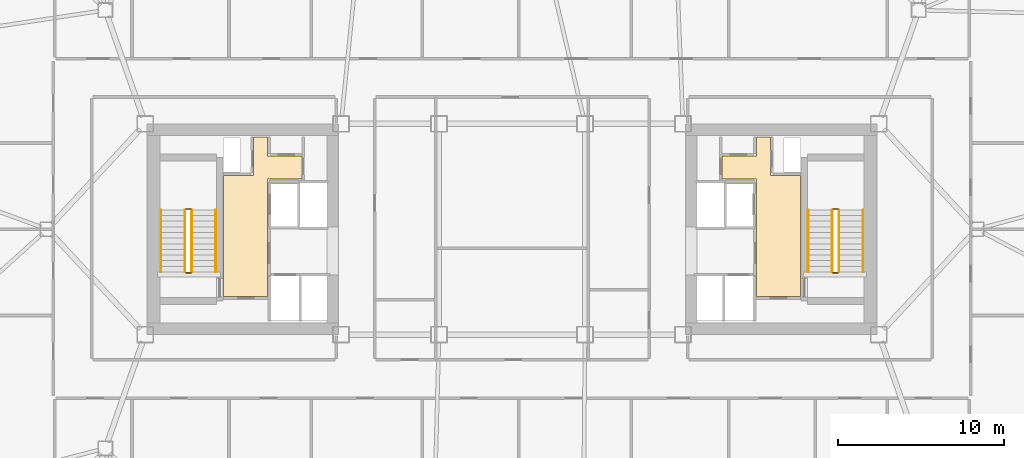
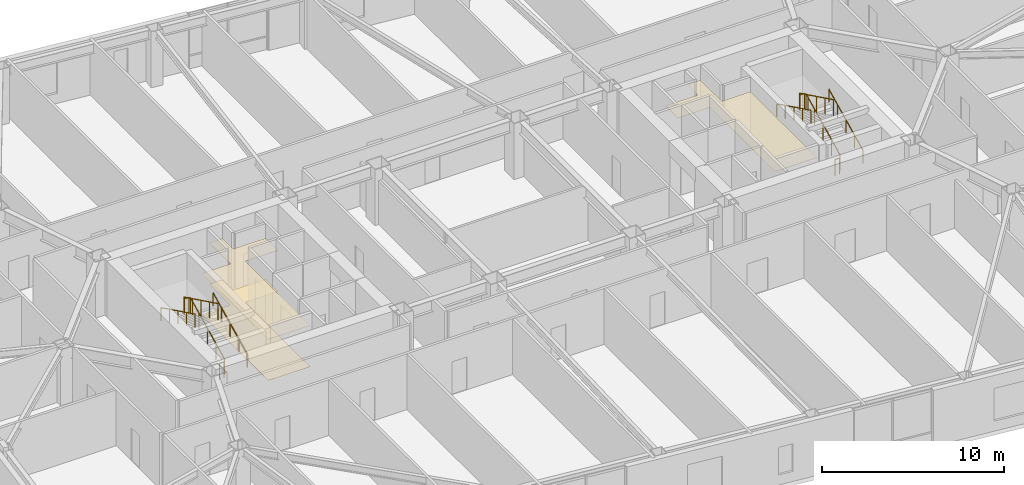
# One storey, part 21 of 21: 12 railings, 3 coverings.
"""IFC4 building model written with IfcOpenShell, lengths in metres."""

from ifc_helpers import new_model, si_unit, direction, frame, origin, origin_2d, place, context, subcontext, project, spatial, polyline, rectangle, outline, extrude, material, layer, layer_set, type_object, element, save


model = new_model("IFC4")

# Units and contexts
model_context = context("Model", 3, precision=1e-05, world=origin(), true_north=direction((0.0, 1.0)))
body_context = subcontext(model_context, "Body", "Model", "MODEL_VIEW")
ifc_project = project(units=[si_unit("LENGTHUNIT", "METRE"), si_unit("AREAUNIT", "SQUARE_METRE"), si_unit("VOLUMEUNIT", "CUBIC_METRE"), si_unit("PLANEANGLEUNIT", "RADIAN"), si_unit("MASSUNIT", "GRAM", prefix="KILO")], contexts=[model_context])

# Site, building, storey
site_placement = place(None, origin())
site = spatial("IfcSite", under=ifc_project, at=site_placement, CompositionType="ELEMENT")
building_placement = place(site_placement, origin())
building = spatial("IfcBuilding", under=site, at=building_placement, Name="Tavrogorsk Clinical Tower", CompositionType="ELEMENT")
storey_placement = place(building_placement, frame((0.0, 0.0, 137.39990234375)))
storey = spatial("IfcBuildingStorey", under=building, at=storey_placement, Name="L31", CompositionType="ELEMENT", Elevation=137.39990234375)

# Coverings
ifc_material_1 = material(Name="Antibacterial micro-perforated aluminium ceiling", Category="aluminium")
ifc_layer_1 = layer(ifc_material_1, 0.014892578125)
ifc_layer_set_1 = layer_set([ifc_layer_1], Name="Antibacterial micro-perforated aluminium ceiling")
covering_type_1 = type_object("IfcCoveringType", Name="ClinicalCeiling_15", PredefinedType="CEILING", material=ifc_layer_set_1)
covering_1_placement = place(storey_placement, frame((0.0, 0.0, 2.75)))
element("IfcCovering", 1, at=covering_1_placement, inside=storey, type_object=covering_type_1, Name="Core West Firefighting Lift Lobby Acoustic Ceiling", PredefinedType="CEILING", context=body_context, shape_type="SweptSolid", body=[
    extrude(outline(polyline([(-17.3798828125, -4.06005859375), (-17.3798828125, 3.239990234375), (-15.56005859375, 3.239990234375), (-15.56005859375, 5.56005859375), (-14.719970703125, 5.56005859375), (-14.719970703125, 4.39990234375), (-12.659912109375, 4.39990234375), (-12.659912109375, 3.0400390625), (-14.719970703125, 3.0400390625), (-14.719970703125, -4.06005859375), (-17.3798828125, -4.06005859375)])), origin(), (0.0, 0.0, 1.0), 0.01513671875),
])
covering_2_placement = place(storey_placement, frame((0.0, 0.0, 2.75)))
element("IfcCovering", 2, at=covering_2_placement, inside=storey, type_object=covering_type_1, Name="Core East Firefighting Lift Lobby Acoustic Ceiling", PredefinedType="CEILING", context=body_context, shape_type="SweptSolid", body=[
    extrude(outline(polyline([(14.719970703125, 3.0400390625), (12.659912109375, 3.0400390625), (12.659912109375, 4.39990234375), (14.719970703125, 4.39990234375), (14.719970703125, 5.56005859375), (15.56005859375, 5.56005859375), (15.56005859375, 3.239990234375), (17.3798828125, 3.239990234375), (17.3798828125, -4.06005859375), (14.719970703125, -4.06005859375), (14.719970703125, 3.0400390625)])), origin(), (0.0, 0.0, 1.0), 0.01513671875),
])
ifc_material_2 = material(Name="Homogeneous medical conductive PVC flooring")
ifc_layer_2 = layer(ifc_material_2, 0.008056640625)
ifc_layer_set_2 = layer_set([ifc_layer_2], Name="Homogeneous medical conductive PVC flooring")
covering_type_2 = type_object("IfcCoveringType", Name="ResilientVinylFloor_8", PredefinedType="FLOORING", material=ifc_layer_set_2)
covering_3_placement = place(storey_placement, origin())
element("IfcCovering", 3, at=covering_3_placement, inside=storey, type_object=covering_type_2, Name="Core West Firefighting Lift Lobby Conductive Vinyl Flooring", PredefinedType="FLOORING", context=body_context, shape_type="SweptSolid", body=[
    extrude(outline(polyline([(-17.3798828125, -4.06005859375), (-17.3798828125, 3.239990234375), (-15.56005859375, 3.239990234375), (-15.56005859375, 5.56005859375), (-14.719970703125, 5.56005859375), (-14.719970703125, 4.39990234375), (-12.659912109375, 4.39990234375), (-12.659912109375, 3.0400390625), (-14.719970703125, 3.0400390625), (-14.719970703125, -4.06005859375), (-17.3798828125, -4.06005859375)])), origin(), (0.0, 0.0, 1.0), 0.008056640625),
])

# Railings
ifc_material_3 = material(Name="Galvanised steel S355 safety stairwell guard", Category="steel")
ifc_layer_3 = layer(ifc_material_3, 0.06005859375)
ifc_layer_set_3 = layer_set([ifc_layer_3], Name="Galvanised steel S355 safety stairwell guard")
railing_type_1 = type_object("IfcRailingType", Name="StairGuard_1150", PredefinedType="GUARDRAIL", material=ifc_layer_set_3)
railing_1_placement = place(storey_placement, frame((-19.300048828125, -2.574951171875, 0.166748046875)))
element("IfcRailing", 4, at=railing_1_placement, inside=storey, type_object=railing_type_1, Name="L31 ST-W stair guard 1", PredefinedType="GUARDRAIL", context=body_context, shape_type="SweptSolid", body=[
    extrude(rectangle(XDim=0.048095703125, YDim=0.048095703125, at=origin_2d()), frame((0.0, 0.0, 1.076171875), z_axis=(0.0, 0.897927990467, 0.440142390523), x_axis=(-1.0, 0.0, 0.0)), (0.0, 0.0, 1.0), 4.1650390625),
    extrude(rectangle(XDim=0.0419921875, YDim=0.0419921875, at=origin_2d()), origin(), (0.0, 0.0, 1.0), 1.052001953125),
    extrude(rectangle(XDim=0.0419921875, YDim=0.0419921875, at=origin_2d()), frame((0.0, 0.93505859375, 0.458251953125)), (0.0, 0.0, 1.0), 1.052001953125),
    extrude(rectangle(XDim=0.0419921875, YDim=0.0419921875, at=origin_2d()), frame((0.0, 1.8701171875, 0.91650390625)), (0.0, 0.0, 1.0), 1.052001953125),
    extrude(rectangle(XDim=0.0419921875, YDim=0.0419921875, at=origin_2d()), frame((0.0, 2.804931640625, 1.375)), (0.0, 0.0, 1.0), 1.052001953125),
    extrude(rectangle(XDim=0.0419921875, YDim=0.0419921875, at=origin_2d()), frame((0.0, 3.739990234375, 1.833251953125)), (0.0, 0.0, 1.0), 1.052001953125),
])
railing_2_placement = place(storey_placement, frame((-19.35009765625, 1.215087890625, 2.0)))
element("IfcRailing", 5, at=railing_2_placement, inside=storey, type_object=railing_type_1, Name="L31 ST-W stair guard 2", PredefinedType="GUARDRAIL", context=body_context, shape_type="SweptSolid", body=[
    extrude(rectangle(XDim=0.048095703125, YDim=0.048095703125, at=origin_2d()), frame((0.0, 0.0, 1.076171875), z_axis=(-1.0, 0.0, 0.0), x_axis=(0.0, -1.0, 0.0)), (0.0, 0.0, 1.0), 0.2998046875),
    extrude(rectangle(XDim=0.0419921875, YDim=0.0419921875, at=origin_2d()), origin(), (0.0, 0.0, 1.0), 1.052001953125),
    extrude(rectangle(XDim=0.0419921875, YDim=0.0419921875, at=origin_2d()), frame((-0.2998046875, 0.0, 0.0)), (0.0, 0.0, 1.0), 1.052001953125),
])
railing_3_placement = place(storey_placement, frame((-19.699951171875, 1.1650390625, 2.166748046875)))
element("IfcRailing", 6, at=railing_3_placement, inside=storey, type_object=railing_type_1, Name="L31 ST-W stair guard 3", PredefinedType="GUARDRAIL", context=body_context, shape_type="SweptSolid", body=[
    extrude(rectangle(XDim=0.048095703125, YDim=0.048095703125, at=origin_2d()), frame((0.0, 0.0, 1.076171875), z_axis=(0.0, -0.897927990467, 0.440142390523), x_axis=(1.0, 0.0, 0.0)), (0.0, 0.0, 1.0), 4.1650390625),
    extrude(rectangle(XDim=0.0419921875, YDim=0.0419921875, at=origin_2d()), origin(), (0.0, 0.0, 1.0), 1.052001953125),
    extrude(rectangle(XDim=0.0419921875, YDim=0.0419921875, at=origin_2d()), frame((0.0, -0.93505859375, 0.458251953125)), (0.0, 0.0, 1.0), 1.052001953125),
    extrude(rectangle(XDim=0.0419921875, YDim=0.0419921875, at=origin_2d()), frame((0.0, -1.8701171875, 0.91650390625)), (0.0, 0.0, 1.0), 1.052001953125),
    extrude(rectangle(XDim=0.0419921875, YDim=0.0419921875, at=origin_2d()), frame((0.0, -2.804931640625, 1.375)), (0.0, 0.0, 1.0), 1.052001953125),
    extrude(rectangle(XDim=0.0419921875, YDim=0.0419921875, at=origin_2d()), frame((0.0, -3.739990234375, 1.833251953125)), (0.0, 0.0, 1.0), 1.052001953125),
])
railing_4_placement = place(storey_placement, frame((-19.35009765625, -2.625, 0.0)))
element("IfcRailing", 7, at=railing_4_placement, inside=storey, type_object=railing_type_1, Name="L31 ST-W stair guard 4", PredefinedType="GUARDRAIL", context=body_context, shape_type="SweptSolid", body=[
    extrude(rectangle(XDim=0.048095703125, YDim=0.048095703125, at=origin_2d()), frame((0.0, 0.0, 1.076171875), z_axis=(-1.0, 0.0, 0.0), x_axis=(0.0, -1.0, 0.0)), (0.0, 0.0, 1.0), 0.2998046875),
    extrude(rectangle(XDim=0.0419921875, YDim=0.0419921875, at=origin_2d()), origin(), (0.0, 0.0, 1.0), 1.052001953125),
    extrude(rectangle(XDim=0.0419921875, YDim=0.0419921875, at=origin_2d()), frame((-0.2998046875, 0.0, 0.0)), (0.0, 0.0, 1.0), 1.052001953125),
])
railing_5_placement = place(storey_placement, frame((19.699951171875, -2.574951171875, 0.166748046875)))
element("IfcRailing", 8, at=railing_5_placement, inside=storey, type_object=railing_type_1, Name="L31 ST-E stair guard 1", PredefinedType="GUARDRAIL", context=body_context, shape_type="SweptSolid", body=[
    extrude(rectangle(XDim=0.048095703125, YDim=0.048095703125, at=origin_2d()), frame((0.0, 0.0, 1.076171875), z_axis=(0.0, 0.897927990467, 0.440142390523), x_axis=(-1.0, 0.0, 0.0)), (0.0, 0.0, 1.0), 4.1650390625),
    extrude(rectangle(XDim=0.0419921875, YDim=0.0419921875, at=origin_2d()), origin(), (0.0, 0.0, 1.0), 1.052001953125),
    extrude(rectangle(XDim=0.0419921875, YDim=0.0419921875, at=origin_2d()), frame((0.0, 0.93505859375, 0.458251953125)), (0.0, 0.0, 1.0), 1.052001953125),
    extrude(rectangle(XDim=0.0419921875, YDim=0.0419921875, at=origin_2d()), frame((0.0, 1.8701171875, 0.91650390625)), (0.0, 0.0, 1.0), 1.052001953125),
    extrude(rectangle(XDim=0.0419921875, YDim=0.0419921875, at=origin_2d()), frame((0.0, 2.804931640625, 1.375)), (0.0, 0.0, 1.0), 1.052001953125),
    extrude(rectangle(XDim=0.0419921875, YDim=0.0419921875, at=origin_2d()), frame((0.0, 3.739990234375, 1.833251953125)), (0.0, 0.0, 1.0), 1.052001953125),
])
railing_6_placement = place(storey_placement, frame((19.64990234375, 1.215087890625, 2.0)))
element("IfcRailing", 9, at=railing_6_placement, inside=storey, type_object=railing_type_1, Name="L31 ST-E stair guard 2", PredefinedType="GUARDRAIL", context=body_context, shape_type="SweptSolid", body=[
    extrude(rectangle(XDim=0.048095703125, YDim=0.048095703125, at=origin_2d()), frame((0.0, 0.0, 1.076171875), z_axis=(-1.0, 0.0, 0.0), x_axis=(0.0, -1.0, 0.0)), (0.0, 0.0, 1.0), 0.2998046875),
    extrude(rectangle(XDim=0.0419921875, YDim=0.0419921875, at=origin_2d()), origin(), (0.0, 0.0, 1.0), 1.052001953125),
    extrude(rectangle(XDim=0.0419921875, YDim=0.0419921875, at=origin_2d()), frame((-0.2998046875, 0.0, 0.0)), (0.0, 0.0, 1.0), 1.052001953125),
])
railing_7_placement = place(storey_placement, frame((19.300048828125, 1.1650390625, 2.166748046875)))
element("IfcRailing", 10, at=railing_7_placement, inside=storey, type_object=railing_type_1, Name="L31 ST-E stair guard 3", PredefinedType="GUARDRAIL", context=body_context, shape_type="SweptSolid", body=[
    extrude(rectangle(XDim=0.048095703125, YDim=0.048095703125, at=origin_2d()), frame((0.0, 0.0, 1.076171875), z_axis=(0.0, -0.897927990467, 0.440142390523), x_axis=(1.0, 0.0, 0.0)), (0.0, 0.0, 1.0), 4.1650390625),
    extrude(rectangle(XDim=0.0419921875, YDim=0.0419921875, at=origin_2d()), origin(), (0.0, 0.0, 1.0), 1.052001953125),
    extrude(rectangle(XDim=0.0419921875, YDim=0.0419921875, at=origin_2d()), frame((0.0, -0.93505859375, 0.458251953125)), (0.0, 0.0, 1.0), 1.052001953125),
    extrude(rectangle(XDim=0.0419921875, YDim=0.0419921875, at=origin_2d()), frame((0.0, -1.8701171875, 0.91650390625)), (0.0, 0.0, 1.0), 1.052001953125),
    extrude(rectangle(XDim=0.0419921875, YDim=0.0419921875, at=origin_2d()), frame((0.0, -2.804931640625, 1.375)), (0.0, 0.0, 1.0), 1.052001953125),
    extrude(rectangle(XDim=0.0419921875, YDim=0.0419921875, at=origin_2d()), frame((0.0, -3.739990234375, 1.833251953125)), (0.0, 0.0, 1.0), 1.052001953125),
])
railing_8_placement = place(storey_placement, frame((19.64990234375, -2.625, 0.0)))
element("IfcRailing", 11, at=railing_8_placement, inside=storey, type_object=railing_type_1, Name="L31 ST-E stair guard 4", PredefinedType="GUARDRAIL", context=body_context, shape_type="SweptSolid", body=[
    extrude(rectangle(XDim=0.048095703125, YDim=0.048095703125, at=origin_2d()), frame((0.0, 0.0, 1.076171875), z_axis=(-1.0, 0.0, 0.0), x_axis=(0.0, -1.0, 0.0)), (0.0, 0.0, 1.0), 0.2998046875),
    extrude(rectangle(XDim=0.0419921875, YDim=0.0419921875, at=origin_2d()), origin(), (0.0, 0.0, 1.0), 1.052001953125),
    extrude(rectangle(XDim=0.0419921875, YDim=0.0419921875, at=origin_2d()), frame((-0.2998046875, 0.0, 0.0)), (0.0, 0.0, 1.0), 1.052001953125),
])
ifc_material_4 = material(Name="Stainless steel AISI 304 tubular handrail", Category="steel")
ifc_layer_4 = layer(ifc_material_4, 0.050048828125)
ifc_layer_set_4 = layer_set([ifc_layer_4], Name="Stainless steel AISI 304 tubular handrail")
railing_type_2 = type_object("IfcRailingType", Name="StairHandrail_920", PredefinedType="HANDRAIL", material=ifc_layer_set_4)
railing_9_placement = place(storey_placement, frame((-17.85009765625, -2.574951171875, 0.166748046875)))
element("IfcRailing", 12, at=railing_9_placement, inside=storey, type_object=railing_type_2, Name="L31 ST-W stair handrail 1", PredefinedType="HANDRAIL", context=body_context, shape_type="SweptSolid", body=[
    extrude(rectangle(XDim=0.048095703125, YDim=0.048095703125, at=origin_2d()), frame((0.0, 0.0, 0.8759765625), z_axis=(0.0, 0.897927990467, 0.440142390523), x_axis=(-1.0, 0.0, 0.0)), (0.0, 0.0, 1.0), 4.1650390625),
    extrude(rectangle(XDim=0.0419921875, YDim=0.0419921875, at=origin_2d()), origin(), (0.0, 0.0, 1.0), 0.851806640625),
    extrude(rectangle(XDim=0.0419921875, YDim=0.0419921875, at=origin_2d()), frame((0.0, 0.93505859375, 0.458251953125)), (0.0, 0.0, 1.0), 0.851806640625),
    extrude(rectangle(XDim=0.0419921875, YDim=0.0419921875, at=origin_2d()), frame((0.0, 1.8701171875, 0.91650390625)), (0.0, 0.0, 1.0), 0.851806640625),
    extrude(rectangle(XDim=0.0419921875, YDim=0.0419921875, at=origin_2d()), frame((0.0, 2.804931640625, 1.375)), (0.0, 0.0, 1.0), 0.851806640625),
    extrude(rectangle(XDim=0.0419921875, YDim=0.0419921875, at=origin_2d()), frame((0.0, 3.739990234375, 1.833251953125)), (0.0, 0.0, 1.0), 0.851806640625),
])
railing_10_placement = place(storey_placement, frame((-21.14990234375, 1.1650390625, 2.166748046875)))
element("IfcRailing", 13, at=railing_10_placement, inside=storey, type_object=railing_type_2, Name="L31 ST-W stair handrail 2", PredefinedType="HANDRAIL", context=body_context, shape_type="SweptSolid", body=[
    extrude(rectangle(XDim=0.048095703125, YDim=0.048095703125, at=origin_2d()), frame((0.0, 0.0, 0.8759765625), z_axis=(0.0, -0.897927990467, 0.440142390523), x_axis=(1.0, 0.0, 0.0)), (0.0, 0.0, 1.0), 4.1650390625),
    extrude(rectangle(XDim=0.0419921875, YDim=0.0419921875, at=origin_2d()), origin(), (0.0, 0.0, 1.0), 0.851806640625),
    extrude(rectangle(XDim=0.0419921875, YDim=0.0419921875, at=origin_2d()), frame((0.0, -0.93505859375, 0.458251953125)), (0.0, 0.0, 1.0), 0.851806640625),
    extrude(rectangle(XDim=0.0419921875, YDim=0.0419921875, at=origin_2d()), frame((0.0, -1.8701171875, 0.91650390625)), (0.0, 0.0, 1.0), 0.851806640625),
    extrude(rectangle(XDim=0.0419921875, YDim=0.0419921875, at=origin_2d()), frame((0.0, -2.804931640625, 1.375)), (0.0, 0.0, 1.0), 0.851806640625),
    extrude(rectangle(XDim=0.0419921875, YDim=0.0419921875, at=origin_2d()), frame((0.0, -3.739990234375, 1.833251953125)), (0.0, 0.0, 1.0), 0.851806640625),
])
railing_11_placement = place(storey_placement, frame((21.14990234375, -2.574951171875, 0.166748046875)))
element("IfcRailing", 14, at=railing_11_placement, inside=storey, type_object=railing_type_2, Name="L31 ST-E stair handrail 1", PredefinedType="HANDRAIL", context=body_context, shape_type="SweptSolid", body=[
    extrude(rectangle(XDim=0.048095703125, YDim=0.048095703125, at=origin_2d()), frame((0.0, 0.0, 0.8759765625), z_axis=(0.0, 0.897927990467, 0.440142390523), x_axis=(-1.0, 0.0, 0.0)), (0.0, 0.0, 1.0), 4.1650390625),
    extrude(rectangle(XDim=0.0419921875, YDim=0.0419921875, at=origin_2d()), origin(), (0.0, 0.0, 1.0), 0.851806640625),
    extrude(rectangle(XDim=0.0419921875, YDim=0.0419921875, at=origin_2d()), frame((0.0, 0.93505859375, 0.458251953125)), (0.0, 0.0, 1.0), 0.851806640625),
    extrude(rectangle(XDim=0.0419921875, YDim=0.0419921875, at=origin_2d()), frame((0.0, 1.8701171875, 0.91650390625)), (0.0, 0.0, 1.0), 0.851806640625),
    extrude(rectangle(XDim=0.0419921875, YDim=0.0419921875, at=origin_2d()), frame((0.0, 2.804931640625, 1.375)), (0.0, 0.0, 1.0), 0.851806640625),
    extrude(rectangle(XDim=0.0419921875, YDim=0.0419921875, at=origin_2d()), frame((0.0, 3.739990234375, 1.833251953125)), (0.0, 0.0, 1.0), 0.851806640625),
])
railing_12_placement = place(storey_placement, frame((17.85009765625, 1.1650390625, 2.166748046875)))
element("IfcRailing", 15, at=railing_12_placement, inside=storey, type_object=railing_type_2, Name="L31 ST-E stair handrail 2", PredefinedType="HANDRAIL", context=body_context, shape_type="SweptSolid", body=[
    extrude(rectangle(XDim=0.048095703125, YDim=0.048095703125, at=origin_2d()), frame((0.0, 0.0, 0.8759765625), z_axis=(0.0, -0.897927990467, 0.440142390523), x_axis=(1.0, 0.0, 0.0)), (0.0, 0.0, 1.0), 4.1650390625),
    extrude(rectangle(XDim=0.0419921875, YDim=0.0419921875, at=origin_2d()), origin(), (0.0, 0.0, 1.0), 0.851806640625),
    extrude(rectangle(XDim=0.0419921875, YDim=0.0419921875, at=origin_2d()), frame((0.0, -0.93505859375, 0.458251953125)), (0.0, 0.0, 1.0), 0.851806640625),
    extrude(rectangle(XDim=0.0419921875, YDim=0.0419921875, at=origin_2d()), frame((0.0, -1.8701171875, 0.91650390625)), (0.0, 0.0, 1.0), 0.851806640625),
    extrude(rectangle(XDim=0.0419921875, YDim=0.0419921875, at=origin_2d()), frame((0.0, -2.804931640625, 1.375)), (0.0, 0.0, 1.0), 0.851806640625),
    extrude(rectangle(XDim=0.0419921875, YDim=0.0419921875, at=origin_2d()), frame((0.0, -3.739990234375, 1.833251953125)), (0.0, 0.0, 1.0), 0.851806640625),
])

save(model, "model.ifc")
